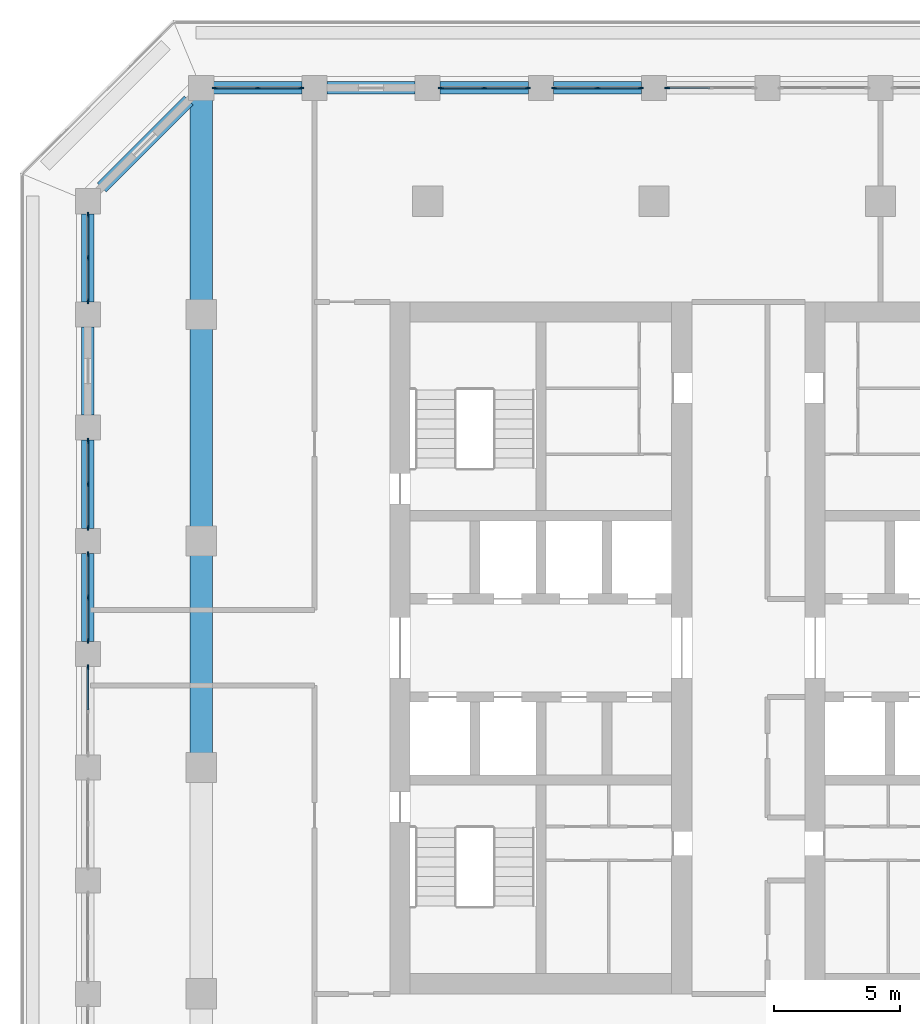
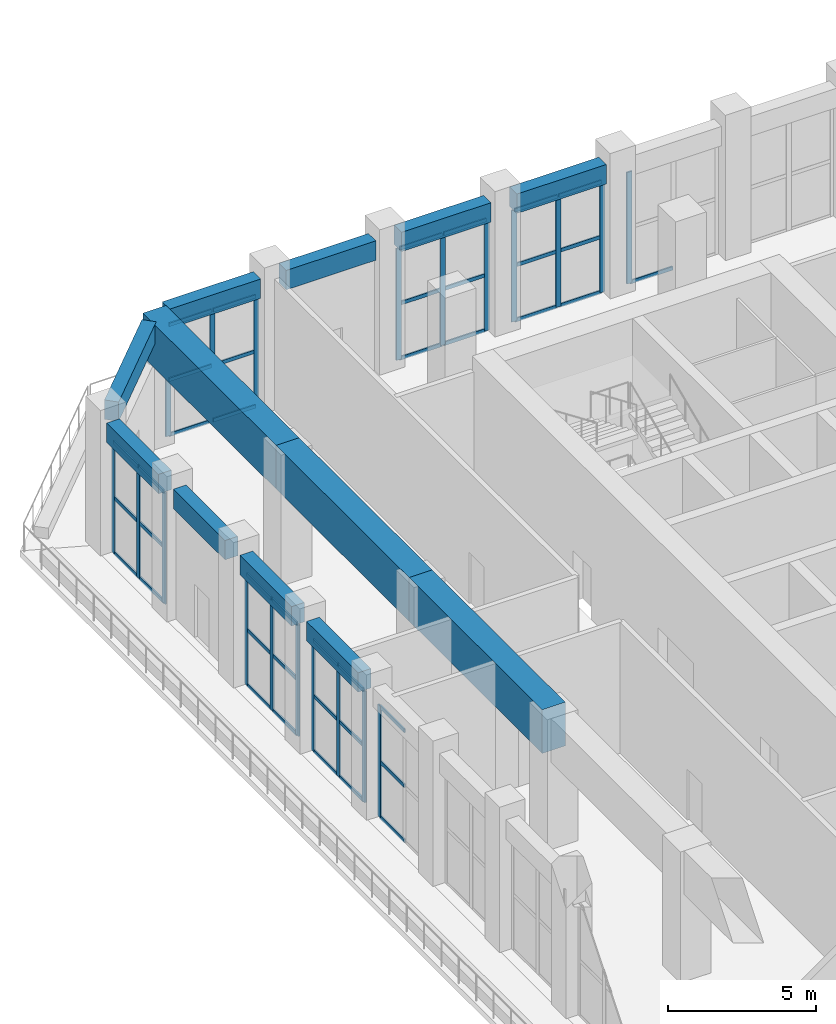
# One storey, part 6 of 25: 60 members, 12 beams, 8 elements without a shape of their own.
"""IFC4 building model written with IfcOpenShell, lengths in metres."""

from ifc_helpers import new_model, si_unit, direction, frame, origin, origin_2d, place, context, subcontext, project, spatial, rectangle, extrude, material, material_profile, profile_set, type_object, element, aggregate, save


model = new_model("IFC4")

# Units and contexts
model_context = context("Model", 3, precision=1e-05, world=origin(), true_north=direction((0.0, 1.0)))
body_context = subcontext(model_context, "Body", "Model", "MODEL_VIEW")
ifc_project = project(units=[si_unit("LENGTHUNIT", "METRE"), si_unit("AREAUNIT", "SQUARE_METRE"), si_unit("VOLUMEUNIT", "CUBIC_METRE"), si_unit("PLANEANGLEUNIT", "RADIAN"), si_unit("MASSUNIT", "GRAM", prefix="KILO")], contexts=[model_context])

# Site, building, storey
site_placement = place(None, origin())
site = spatial("IfcSite", under=ifc_project, at=site_placement, CompositionType="ELEMENT")
building_placement = place(site_placement, origin())
building = spatial("IfcBuilding", under=site, at=building_placement, Name="Corbel Stack Research Tower", CompositionType="ELEMENT")
storey_placement = place(building_placement, frame((0.0, 0.0, 220.199951171875)))
storey = spatial("IfcBuildingStorey", under=building, at=storey_placement, Name="L50", CompositionType="ELEMENT", Elevation=220.199951171875)

# Curtain wall, member
ifc_material_1 = material(Name="Aluminium frame, clear glass", Category="aluminium")
curtain_wall_type = type_object("IfcCurtainWallType", Name="Upper amenity floor curtain wall CW3", PredefinedType="NOTDEFINED", material=ifc_material_1)
curtain_wall_1_placement = place(storey_placement, origin())
curtain_wall_1 = element("IfcCurtainWall", 1, at=curtain_wall_1_placement, inside=storey, type_object=curtain_wall_type, Name="Curtain wall CW3 L50 N06", PredefinedType="NOTDEFINED")
ifc_material_2 = material(Name="Aluminium mullion", Category="aluminium")
ifc_material_profile_1 = material_profile(ifc_material_2, rectangle(XDim=0.06005859375, YDim=0.199951171875, at=origin_2d()), Name="Mullion 60 x 200")
ifc_profile_set_1 = profile_set([ifc_material_profile_1], Name="Aluminium mullion")
member_type_1 = type_object("IfcMemberType", Name="Curtain wall mullion 60 x 200", PredefinedType="MULLION", material=ifc_profile_set_1)
member_1_placement = place(storey_placement, frame((0.530029296875, 27.0, 0.0), z_axis=(0.0, 0.0, 1.0), x_axis=(0.0, -1.0, 0.0)))
member_1 = element("IfcMember", 2, at=member_1_placement, type_object=member_type_1, Name="CW3 mullion 3", PredefinedType="MULLION", context=body_context, shape_type="SweptSolid", body=[
    extrude(rectangle(XDim=0.06005859375, YDim=0.199951171875, at=origin_2d()), origin(), (0.0, 0.0, 1.0), 4.60009765625),
])

# Curtain wall, members
curtain_wall_2_placement = place(storey_placement, origin())
curtain_wall_2 = element("IfcCurtainWall", 3, at=curtain_wall_2_placement, inside=storey, type_object=curtain_wall_type, Name="Curtain wall CW3 L50 N07", PredefinedType="NOTDEFINED")
member_2_placement = place(storey_placement, frame((-0.530029296875, 27.0, 0.0), z_axis=(0.0, 0.0, 1.0), x_axis=(0.0, -1.0, 0.0)))
member_2 = element("IfcMember", 4, at=member_2_placement, type_object=member_type_1, Name="CW3 mullion 1", PredefinedType="MULLION", context=body_context, shape_type="SweptSolid", body=[
    extrude(rectangle(XDim=0.06005859375, YDim=0.199951171875, at=origin_2d()), origin(), (0.0, 0.0, 1.0), 4.60009765625),
])
member_3_placement = place(storey_placement, frame((-2.25, 27.0, 0.0), z_axis=(0.0, 0.0, 1.0), x_axis=(0.0, -1.0, 0.0)))
member_3 = element("IfcMember", 5, at=member_3_placement, type_object=member_type_1, Name="CW3 mullion 2", PredefinedType="MULLION", context=body_context, shape_type="SweptSolid", body=[
    extrude(rectangle(XDim=0.06005859375, YDim=0.199951171875, at=origin_2d()), origin(), (0.0, 0.0, 1.0), 4.60009765625),
])
member_4_placement = place(storey_placement, frame((-3.969970703125, 27.0, 0.0), z_axis=(0.0, 0.0, 1.0), x_axis=(0.0, -1.0, 0.0)))
member_4 = element("IfcMember", 6, at=member_4_placement, type_object=member_type_1, Name="CW3 mullion 3", PredefinedType="MULLION", context=body_context, shape_type="SweptSolid", body=[
    extrude(rectangle(XDim=0.06005859375, YDim=0.199951171875, at=origin_2d()), origin(), (0.0, 0.0, 1.0), 4.60009765625),
])

curtain_wall_3_placement = place(storey_placement, origin())
curtain_wall_3 = element("IfcCurtainWall", 7, at=curtain_wall_3_placement, inside=storey, type_object=curtain_wall_type, Name="Curtain wall CW3 L50 N08", PredefinedType="NOTDEFINED")
member_5_placement = place(storey_placement, frame((-5.030029296875, 27.0, 0.0), z_axis=(0.0, 0.0, 1.0), x_axis=(0.0, -1.0, 0.0)))
member_5 = element("IfcMember", 8, at=member_5_placement, type_object=member_type_1, Name="CW3 mullion 1", PredefinedType="MULLION", context=body_context, shape_type="SweptSolid", body=[
    extrude(rectangle(XDim=0.06005859375, YDim=0.199951171875, at=origin_2d()), origin(), (0.0, 0.0, 1.0), 4.60009765625),
])
member_6_placement = place(storey_placement, frame((-6.75, 27.0, 0.0), z_axis=(0.0, 0.0, 1.0), x_axis=(0.0, -1.0, 0.0)))
member_6 = element("IfcMember", 9, at=member_6_placement, type_object=member_type_1, Name="CW3 mullion 2", PredefinedType="MULLION", context=body_context, shape_type="SweptSolid", body=[
    extrude(rectangle(XDim=0.06005859375, YDim=0.199951171875, at=origin_2d()), origin(), (0.0, 0.0, 1.0), 4.60009765625),
])
member_7_placement = place(storey_placement, frame((-8.469970703125, 27.0, 0.0), z_axis=(0.0, 0.0, 1.0), x_axis=(0.0, -1.0, 0.0)))
member_7 = element("IfcMember", 10, at=member_7_placement, type_object=member_type_1, Name="CW3 mullion 3", PredefinedType="MULLION", context=body_context, shape_type="SweptSolid", body=[
    extrude(rectangle(XDim=0.06005859375, YDim=0.199951171875, at=origin_2d()), origin(), (0.0, 0.0, 1.0), 4.60009765625),
])

curtain_wall_4_placement = place(storey_placement, origin())
curtain_wall_4 = element("IfcCurtainWall", 11, at=curtain_wall_4_placement, inside=storey, type_object=curtain_wall_type, Name="Curtain wall CW3 L50 N10", PredefinedType="NOTDEFINED")
member_8_placement = place(storey_placement, frame((-14.030029296875, 27.0, 0.0), z_axis=(0.0, 0.0, 1.0), x_axis=(0.0, -1.0, 0.0)))
member_8 = element("IfcMember", 12, at=member_8_placement, type_object=member_type_1, Name="CW3 mullion 1", PredefinedType="MULLION", context=body_context, shape_type="SweptSolid", body=[
    extrude(rectangle(XDim=0.06005859375, YDim=0.199951171875, at=origin_2d()), origin(), (0.0, 0.0, 1.0), 4.60009765625),
])
member_9_placement = place(storey_placement, frame((-15.75, 27.0, 0.0), z_axis=(0.0, 0.0, 1.0), x_axis=(0.0, -1.0, 0.0)))
member_9 = element("IfcMember", 13, at=member_9_placement, type_object=member_type_1, Name="CW3 mullion 2", PredefinedType="MULLION", context=body_context, shape_type="SweptSolid", body=[
    extrude(rectangle(XDim=0.06005859375, YDim=0.199951171875, at=origin_2d()), origin(), (0.0, 0.0, 1.0), 4.60009765625),
])
member_10_placement = place(storey_placement, frame((-17.469970703125, 27.0, 0.0), z_axis=(0.0, 0.0, 1.0), x_axis=(0.0, -1.0, 0.0)))
member_10 = element("IfcMember", 14, at=member_10_placement, type_object=member_type_1, Name="CW3 mullion 3", PredefinedType="MULLION", context=body_context, shape_type="SweptSolid", body=[
    extrude(rectangle(XDim=0.06005859375, YDim=0.199951171875, at=origin_2d()), origin(), (0.0, 0.0, 1.0), 4.60009765625),
])

curtain_wall_5_placement = place(storey_placement, origin())
curtain_wall_5 = element("IfcCurtainWall", 15, at=curtain_wall_5_placement, inside=storey, type_object=curtain_wall_type, Name="Curtain wall CW3 L50 W01", PredefinedType="NOTDEFINED")
member_11_placement = place(storey_placement, frame((-22.5, 21.969970703125, 0.0), z_axis=(0.0, 0.0, 1.0), x_axis=(1.0, 0.0, 0.0)))
member_11 = element("IfcMember", 16, at=member_11_placement, type_object=member_type_1, Name="CW3 mullion 1", PredefinedType="MULLION", context=body_context, shape_type="SweptSolid", body=[
    extrude(rectangle(XDim=0.06005859375, YDim=0.199951171875, at=origin_2d()), origin(), (0.0, 0.0, 1.0), 4.60009765625),
])
member_12_placement = place(storey_placement, frame((-22.5, 20.25, 0.0), z_axis=(0.0, 0.0, 1.0), x_axis=(1.0, 0.0, 0.0)))
member_12 = element("IfcMember", 17, at=member_12_placement, type_object=member_type_1, Name="CW3 mullion 2", PredefinedType="MULLION", context=body_context, shape_type="SweptSolid", body=[
    extrude(rectangle(XDim=0.06005859375, YDim=0.199951171875, at=origin_2d()), origin(), (0.0, 0.0, 1.0), 4.60009765625),
])
member_13_placement = place(storey_placement, frame((-22.5, 18.530029296875, 0.0), z_axis=(0.0, 0.0, 1.0), x_axis=(1.0, 0.0, 0.0)))
member_13 = element("IfcMember", 18, at=member_13_placement, type_object=member_type_1, Name="CW3 mullion 3", PredefinedType="MULLION", context=body_context, shape_type="SweptSolid", body=[
    extrude(rectangle(XDim=0.06005859375, YDim=0.199951171875, at=origin_2d()), origin(), (0.0, 0.0, 1.0), 4.60009765625),
])

curtain_wall_6_placement = place(storey_placement, origin())
curtain_wall_6 = element("IfcCurtainWall", 19, at=curtain_wall_6_placement, inside=storey, type_object=curtain_wall_type, Name="Curtain wall CW3 L50 W03", PredefinedType="NOTDEFINED")
member_14_placement = place(storey_placement, frame((-22.5, 12.969970703125, 0.0), z_axis=(0.0, 0.0, 1.0), x_axis=(1.0, 0.0, 0.0)))
member_14 = element("IfcMember", 20, at=member_14_placement, type_object=member_type_1, Name="CW3 mullion 1", PredefinedType="MULLION", context=body_context, shape_type="SweptSolid", body=[
    extrude(rectangle(XDim=0.06005859375, YDim=0.199951171875, at=origin_2d()), origin(), (0.0, 0.0, 1.0), 4.60009765625),
])
member_15_placement = place(storey_placement, frame((-22.5, 11.25, 0.0), z_axis=(0.0, 0.0, 1.0), x_axis=(1.0, 0.0, 0.0)))
member_15 = element("IfcMember", 21, at=member_15_placement, type_object=member_type_1, Name="CW3 mullion 2", PredefinedType="MULLION", context=body_context, shape_type="SweptSolid", body=[
    extrude(rectangle(XDim=0.06005859375, YDim=0.199951171875, at=origin_2d()), origin(), (0.0, 0.0, 1.0), 4.60009765625),
])
member_16_placement = place(storey_placement, frame((-22.5, 9.530029296875, 0.0), z_axis=(0.0, 0.0, 1.0), x_axis=(1.0, 0.0, 0.0)))
member_16 = element("IfcMember", 22, at=member_16_placement, type_object=member_type_1, Name="CW3 mullion 3", PredefinedType="MULLION", context=body_context, shape_type="SweptSolid", body=[
    extrude(rectangle(XDim=0.06005859375, YDim=0.199951171875, at=origin_2d()), origin(), (0.0, 0.0, 1.0), 4.60009765625),
])

curtain_wall_7_placement = place(storey_placement, origin())
curtain_wall_7 = element("IfcCurtainWall", 23, at=curtain_wall_7_placement, inside=storey, type_object=curtain_wall_type, Name="Curtain wall CW3 L50 W04", PredefinedType="NOTDEFINED")
member_17_placement = place(storey_placement, frame((-22.5, 8.469970703125, 0.0), z_axis=(0.0, 0.0, 1.0), x_axis=(1.0, 0.0, 0.0)))
member_17 = element("IfcMember", 24, at=member_17_placement, type_object=member_type_1, Name="CW3 mullion 1", PredefinedType="MULLION", context=body_context, shape_type="SweptSolid", body=[
    extrude(rectangle(XDim=0.06005859375, YDim=0.199951171875, at=origin_2d()), origin(), (0.0, 0.0, 1.0), 4.60009765625),
])
member_18_placement = place(storey_placement, frame((-22.5, 6.75, 0.0), z_axis=(0.0, 0.0, 1.0), x_axis=(1.0, 0.0, 0.0)))
member_18 = element("IfcMember", 25, at=member_18_placement, type_object=member_type_1, Name="CW3 mullion 2", PredefinedType="MULLION", context=body_context, shape_type="SweptSolid", body=[
    extrude(rectangle(XDim=0.06005859375, YDim=0.199951171875, at=origin_2d()), origin(), (0.0, 0.0, 1.0), 4.60009765625),
])
member_19_placement = place(storey_placement, frame((-22.5, 5.030029296875, 0.0), z_axis=(0.0, 0.0, 1.0), x_axis=(1.0, 0.0, 0.0)))
member_19 = element("IfcMember", 26, at=member_19_placement, type_object=member_type_1, Name="CW3 mullion 3", PredefinedType="MULLION", context=body_context, shape_type="SweptSolid", body=[
    extrude(rectangle(XDim=0.06005859375, YDim=0.199951171875, at=origin_2d()), origin(), (0.0, 0.0, 1.0), 4.60009765625),
])

# Curtain wall, member
curtain_wall_8_placement = place(storey_placement, origin())
curtain_wall_8 = element("IfcCurtainWall", 27, at=curtain_wall_8_placement, inside=storey, type_object=curtain_wall_type, Name="Curtain wall CW3 L50 W05", PredefinedType="NOTDEFINED")
member_20_placement = place(storey_placement, frame((-22.5, 3.969970703125, 0.0), z_axis=(0.0, 0.0, 1.0), x_axis=(1.0, 0.0, 0.0)))
member_20 = element("IfcMember", 28, at=member_20_placement, type_object=member_type_1, Name="CW3 mullion 1", PredefinedType="MULLION", context=body_context, shape_type="SweptSolid", body=[
    extrude(rectangle(XDim=0.06005859375, YDim=0.199951171875, at=origin_2d()), origin(), (0.0, 0.0, 1.0), 4.60009765625),
])

# Member
ifc_material_3 = material(Name="Aluminium transom", Category="aluminium")
ifc_material_profile_2 = material_profile(ifc_material_3, rectangle(XDim=0.06005859375, YDim=0.14990234375, at=origin_2d()), Name="Transom 60 x 150")
ifc_profile_set_2 = profile_set([ifc_material_profile_2], Name="Aluminium transom")
member_type_2 = type_object("IfcMemberType", Name="Curtain wall transom 60 x 150", PredefinedType="USERDEFINED", material=ifc_profile_set_2)
member_21_placement = place(storey_placement, frame((2.219970703125, 27.0, 0.030029296875), z_axis=(-1.0, 0.0, 0.0), x_axis=(0.0, -1.0, 0.0)))
member_21 = element("IfcMember", 29, at=member_21_placement, type_object=member_type_2, Name="CW3 transom 2.1", ObjectType="TRANSOM", PredefinedType="USERDEFINED", context=body_context, shape_type="SweptSolid", body=[
    extrude(rectangle(XDim=0.06005859375, YDim=0.14990234375, at=origin_2d()), origin(), (0.0, 0.0, 1.0), 1.659912109375),
])

aggregate(curtain_wall_1, [member_1, member_21])

member_22_placement = place(storey_placement, frame((-0.56005859375, 27.0, 0.030029296875), z_axis=(-1.0, 0.0, 0.0), x_axis=(0.0, -1.0, 0.0)))
member_22 = element("IfcMember", 30, at=member_22_placement, type_object=member_type_2, Name="CW3 transom 1.1", ObjectType="TRANSOM", PredefinedType="USERDEFINED", context=body_context, shape_type="SweptSolid", body=[
    extrude(rectangle(XDim=0.06005859375, YDim=0.14990234375, at=origin_2d()), origin(), (0.0, 0.0, 1.0), 1.659912109375),
])

member_23_placement = place(storey_placement, frame((-0.56005859375, 27.0, 2.300048828125), z_axis=(-1.0, 0.0, 0.0), x_axis=(0.0, -1.0, 0.0)))
member_23 = element("IfcMember", 31, at=member_23_placement, type_object=member_type_2, Name="CW3 transom 1.2", ObjectType="TRANSOM", PredefinedType="USERDEFINED", context=body_context, shape_type="SweptSolid", body=[
    extrude(rectangle(XDim=0.06005859375, YDim=0.14990234375, at=origin_2d()), origin(), (0.0, 0.0, 1.0), 1.659912109375),
])

member_24_placement = place(storey_placement, frame((-0.56005859375, 27.0, 4.570068359375), z_axis=(-1.0, 0.0, 0.0), x_axis=(0.0, -1.0, 0.0)))
member_24 = element("IfcMember", 32, at=member_24_placement, type_object=member_type_2, Name="CW3 transom 1.3", ObjectType="TRANSOM", PredefinedType="USERDEFINED", context=body_context, shape_type="SweptSolid", body=[
    extrude(rectangle(XDim=0.06005859375, YDim=0.14990234375, at=origin_2d()), origin(), (0.0, 0.0, 1.0), 1.659912109375),
])

member_25_placement = place(storey_placement, frame((-2.280029296875, 27.0, 0.030029296875), z_axis=(-1.0, 0.0, 0.0), x_axis=(0.0, -1.0, 0.0)))
member_25 = element("IfcMember", 33, at=member_25_placement, type_object=member_type_2, Name="CW3 transom 2.1", ObjectType="TRANSOM", PredefinedType="USERDEFINED", context=body_context, shape_type="SweptSolid", body=[
    extrude(rectangle(XDim=0.06005859375, YDim=0.14990234375, at=origin_2d()), origin(), (0.0, 0.0, 1.0), 1.659912109375),
])

member_26_placement = place(storey_placement, frame((-2.280029296875, 27.0, 2.300048828125), z_axis=(-1.0, 0.0, 0.0), x_axis=(0.0, -1.0, 0.0)))
member_26 = element("IfcMember", 34, at=member_26_placement, type_object=member_type_2, Name="CW3 transom 2.2", ObjectType="TRANSOM", PredefinedType="USERDEFINED", context=body_context, shape_type="SweptSolid", body=[
    extrude(rectangle(XDim=0.06005859375, YDim=0.14990234375, at=origin_2d()), origin(), (0.0, 0.0, 1.0), 1.659912109375),
])

member_27_placement = place(storey_placement, frame((-2.280029296875, 27.0, 4.570068359375), z_axis=(-1.0, 0.0, 0.0), x_axis=(0.0, -1.0, 0.0)))
member_27 = element("IfcMember", 35, at=member_27_placement, type_object=member_type_2, Name="CW3 transom 2.3", ObjectType="TRANSOM", PredefinedType="USERDEFINED", context=body_context, shape_type="SweptSolid", body=[
    extrude(rectangle(XDim=0.06005859375, YDim=0.14990234375, at=origin_2d()), origin(), (0.0, 0.0, 1.0), 1.659912109375),
])

aggregate(curtain_wall_2, [member_2, member_3, member_4, member_22, member_23, member_24, member_25, member_26, member_27])

member_28_placement = place(storey_placement, frame((-5.06005859375, 27.0, 0.030029296875), z_axis=(-1.0, 0.0, 0.0), x_axis=(0.0, -1.0, 0.0)))
member_28 = element("IfcMember", 36, at=member_28_placement, type_object=member_type_2, Name="CW3 transom 1.1", ObjectType="TRANSOM", PredefinedType="USERDEFINED", context=body_context, shape_type="SweptSolid", body=[
    extrude(rectangle(XDim=0.06005859375, YDim=0.14990234375, at=origin_2d()), origin(), (0.0, 0.0, 1.0), 1.659912109375),
])

member_29_placement = place(storey_placement, frame((-5.06005859375, 27.0, 2.300048828125), z_axis=(-1.0, 0.0, 0.0), x_axis=(0.0, -1.0, 0.0)))
member_29 = element("IfcMember", 37, at=member_29_placement, type_object=member_type_2, Name="CW3 transom 1.2", ObjectType="TRANSOM", PredefinedType="USERDEFINED", context=body_context, shape_type="SweptSolid", body=[
    extrude(rectangle(XDim=0.06005859375, YDim=0.14990234375, at=origin_2d()), origin(), (0.0, 0.0, 1.0), 1.659912109375),
])

member_30_placement = place(storey_placement, frame((-5.06005859375, 27.0, 4.570068359375), z_axis=(-1.0, 0.0, 0.0), x_axis=(0.0, -1.0, 0.0)))
member_30 = element("IfcMember", 38, at=member_30_placement, type_object=member_type_2, Name="CW3 transom 1.3", ObjectType="TRANSOM", PredefinedType="USERDEFINED", context=body_context, shape_type="SweptSolid", body=[
    extrude(rectangle(XDim=0.06005859375, YDim=0.14990234375, at=origin_2d()), origin(), (0.0, 0.0, 1.0), 1.659912109375),
])

member_31_placement = place(storey_placement, frame((-6.780029296875, 27.0, 0.030029296875), z_axis=(-1.0, 0.0, 0.0), x_axis=(0.0, -1.0, 0.0)))
member_31 = element("IfcMember", 39, at=member_31_placement, type_object=member_type_2, Name="CW3 transom 2.1", ObjectType="TRANSOM", PredefinedType="USERDEFINED", context=body_context, shape_type="SweptSolid", body=[
    extrude(rectangle(XDim=0.06005859375, YDim=0.14990234375, at=origin_2d()), origin(), (0.0, 0.0, 1.0), 1.659912109375),
])

member_32_placement = place(storey_placement, frame((-6.780029296875, 27.0, 2.300048828125), z_axis=(-1.0, 0.0, 0.0), x_axis=(0.0, -1.0, 0.0)))
member_32 = element("IfcMember", 40, at=member_32_placement, type_object=member_type_2, Name="CW3 transom 2.2", ObjectType="TRANSOM", PredefinedType="USERDEFINED", context=body_context, shape_type="SweptSolid", body=[
    extrude(rectangle(XDim=0.06005859375, YDim=0.14990234375, at=origin_2d()), origin(), (0.0, 0.0, 1.0), 1.659912109375),
])

member_33_placement = place(storey_placement, frame((-6.780029296875, 27.0, 4.570068359375), z_axis=(-1.0, 0.0, 0.0), x_axis=(0.0, -1.0, 0.0)))
member_33 = element("IfcMember", 41, at=member_33_placement, type_object=member_type_2, Name="CW3 transom 2.3", ObjectType="TRANSOM", PredefinedType="USERDEFINED", context=body_context, shape_type="SweptSolid", body=[
    extrude(rectangle(XDim=0.06005859375, YDim=0.14990234375, at=origin_2d()), origin(), (0.0, 0.0, 1.0), 1.659912109375),
])

aggregate(curtain_wall_3, [member_5, member_6, member_7, member_28, member_29, member_30, member_31, member_32, member_33])

member_34_placement = place(storey_placement, frame((-14.06005859375, 27.0, 0.030029296875), z_axis=(-1.0, 0.0, 0.0), x_axis=(0.0, -1.0, 0.0)))
member_34 = element("IfcMember", 42, at=member_34_placement, type_object=member_type_2, Name="CW3 transom 1.1", ObjectType="TRANSOM", PredefinedType="USERDEFINED", context=body_context, shape_type="SweptSolid", body=[
    extrude(rectangle(XDim=0.06005859375, YDim=0.14990234375, at=origin_2d()), origin(), (0.0, 0.0, 1.0), 1.659912109375),
])

member_35_placement = place(storey_placement, frame((-14.06005859375, 27.0, 2.300048828125), z_axis=(-1.0, 0.0, 0.0), x_axis=(0.0, -1.0, 0.0)))
member_35 = element("IfcMember", 43, at=member_35_placement, type_object=member_type_2, Name="CW3 transom 1.2", ObjectType="TRANSOM", PredefinedType="USERDEFINED", context=body_context, shape_type="SweptSolid", body=[
    extrude(rectangle(XDim=0.06005859375, YDim=0.14990234375, at=origin_2d()), origin(), (0.0, 0.0, 1.0), 1.659912109375),
])

member_36_placement = place(storey_placement, frame((-14.06005859375, 27.0, 4.570068359375), z_axis=(-1.0, 0.0, 0.0), x_axis=(0.0, -1.0, 0.0)))
member_36 = element("IfcMember", 44, at=member_36_placement, type_object=member_type_2, Name="CW3 transom 1.3", ObjectType="TRANSOM", PredefinedType="USERDEFINED", context=body_context, shape_type="SweptSolid", body=[
    extrude(rectangle(XDim=0.06005859375, YDim=0.14990234375, at=origin_2d()), origin(), (0.0, 0.0, 1.0), 1.659912109375),
])

member_37_placement = place(storey_placement, frame((-15.780029296875, 27.0, 0.030029296875), z_axis=(-1.0, 0.0, 0.0), x_axis=(0.0, -1.0, 0.0)))
member_37 = element("IfcMember", 45, at=member_37_placement, type_object=member_type_2, Name="CW3 transom 2.1", ObjectType="TRANSOM", PredefinedType="USERDEFINED", context=body_context, shape_type="SweptSolid", body=[
    extrude(rectangle(XDim=0.06005859375, YDim=0.14990234375, at=origin_2d()), origin(), (0.0, 0.0, 1.0), 1.659912109375),
])

member_38_placement = place(storey_placement, frame((-15.780029296875, 27.0, 2.300048828125), z_axis=(-1.0, 0.0, 0.0), x_axis=(0.0, -1.0, 0.0)))
member_38 = element("IfcMember", 46, at=member_38_placement, type_object=member_type_2, Name="CW3 transom 2.2", ObjectType="TRANSOM", PredefinedType="USERDEFINED", context=body_context, shape_type="SweptSolid", body=[
    extrude(rectangle(XDim=0.06005859375, YDim=0.14990234375, at=origin_2d()), origin(), (0.0, 0.0, 1.0), 1.659912109375),
])

member_39_placement = place(storey_placement, frame((-15.780029296875, 27.0, 4.570068359375), z_axis=(-1.0, 0.0, 0.0), x_axis=(0.0, -1.0, 0.0)))
member_39 = element("IfcMember", 47, at=member_39_placement, type_object=member_type_2, Name="CW3 transom 2.3", ObjectType="TRANSOM", PredefinedType="USERDEFINED", context=body_context, shape_type="SweptSolid", body=[
    extrude(rectangle(XDim=0.06005859375, YDim=0.14990234375, at=origin_2d()), origin(), (0.0, 0.0, 1.0), 1.659912109375),
])

aggregate(curtain_wall_4, [member_8, member_9, member_10, member_34, member_35, member_36, member_37, member_38, member_39])

member_40_placement = place(storey_placement, frame((-22.5, 21.93994140625, 0.030029296875), z_axis=(0.0, -1.0, 0.0), x_axis=(1.0, 0.0, 0.0)))
member_40 = element("IfcMember", 48, at=member_40_placement, type_object=member_type_2, Name="CW3 transom 1.1", ObjectType="TRANSOM", PredefinedType="USERDEFINED", context=body_context, shape_type="SweptSolid", body=[
    extrude(rectangle(XDim=0.06005859375, YDim=0.14990234375, at=origin_2d()), origin(), (0.0, 0.0, 1.0), 1.659912109375),
])

member_41_placement = place(storey_placement, frame((-22.5, 21.93994140625, 2.300048828125), z_axis=(0.0, -1.0, 0.0), x_axis=(1.0, 0.0, 0.0)))
member_41 = element("IfcMember", 49, at=member_41_placement, type_object=member_type_2, Name="CW3 transom 1.2", ObjectType="TRANSOM", PredefinedType="USERDEFINED", context=body_context, shape_type="SweptSolid", body=[
    extrude(rectangle(XDim=0.06005859375, YDim=0.14990234375, at=origin_2d()), origin(), (0.0, 0.0, 1.0), 1.659912109375),
])

member_42_placement = place(storey_placement, frame((-22.5, 21.93994140625, 4.570068359375), z_axis=(0.0, -1.0, 0.0), x_axis=(1.0, 0.0, 0.0)))
member_42 = element("IfcMember", 50, at=member_42_placement, type_object=member_type_2, Name="CW3 transom 1.3", ObjectType="TRANSOM", PredefinedType="USERDEFINED", context=body_context, shape_type="SweptSolid", body=[
    extrude(rectangle(XDim=0.06005859375, YDim=0.14990234375, at=origin_2d()), origin(), (0.0, 0.0, 1.0), 1.659912109375),
])

member_43_placement = place(storey_placement, frame((-22.5, 20.219970703125, 0.030029296875), z_axis=(0.0, -1.0, 0.0), x_axis=(1.0, 0.0, 0.0)))
member_43 = element("IfcMember", 51, at=member_43_placement, type_object=member_type_2, Name="CW3 transom 2.1", ObjectType="TRANSOM", PredefinedType="USERDEFINED", context=body_context, shape_type="SweptSolid", body=[
    extrude(rectangle(XDim=0.06005859375, YDim=0.14990234375, at=origin_2d()), origin(), (0.0, 0.0, 1.0), 1.659912109375),
])

member_44_placement = place(storey_placement, frame((-22.5, 20.219970703125, 2.300048828125), z_axis=(0.0, -1.0, 0.0), x_axis=(1.0, 0.0, 0.0)))
member_44 = element("IfcMember", 52, at=member_44_placement, type_object=member_type_2, Name="CW3 transom 2.2", ObjectType="TRANSOM", PredefinedType="USERDEFINED", context=body_context, shape_type="SweptSolid", body=[
    extrude(rectangle(XDim=0.06005859375, YDim=0.14990234375, at=origin_2d()), origin(), (0.0, 0.0, 1.0), 1.659912109375),
])

member_45_placement = place(storey_placement, frame((-22.5, 20.219970703125, 4.570068359375), z_axis=(0.0, -1.0, 0.0), x_axis=(1.0, 0.0, 0.0)))
member_45 = element("IfcMember", 53, at=member_45_placement, type_object=member_type_2, Name="CW3 transom 2.3", ObjectType="TRANSOM", PredefinedType="USERDEFINED", context=body_context, shape_type="SweptSolid", body=[
    extrude(rectangle(XDim=0.06005859375, YDim=0.14990234375, at=origin_2d()), origin(), (0.0, 0.0, 1.0), 1.659912109375),
])

aggregate(curtain_wall_5, [member_11, member_12, member_13, member_40, member_41, member_42, member_43, member_44, member_45])

member_46_placement = place(storey_placement, frame((-22.5, 12.93994140625, 0.030029296875), z_axis=(0.0, -1.0, 0.0), x_axis=(1.0, 0.0, 0.0)))
member_46 = element("IfcMember", 54, at=member_46_placement, type_object=member_type_2, Name="CW3 transom 1.1", ObjectType="TRANSOM", PredefinedType="USERDEFINED", context=body_context, shape_type="SweptSolid", body=[
    extrude(rectangle(XDim=0.06005859375, YDim=0.14990234375, at=origin_2d()), origin(), (0.0, 0.0, 1.0), 1.659912109375),
])

member_47_placement = place(storey_placement, frame((-22.5, 12.93994140625, 2.300048828125), z_axis=(0.0, -1.0, 0.0), x_axis=(1.0, 0.0, 0.0)))
member_47 = element("IfcMember", 55, at=member_47_placement, type_object=member_type_2, Name="CW3 transom 1.2", ObjectType="TRANSOM", PredefinedType="USERDEFINED", context=body_context, shape_type="SweptSolid", body=[
    extrude(rectangle(XDim=0.06005859375, YDim=0.14990234375, at=origin_2d()), origin(), (0.0, 0.0, 1.0), 1.659912109375),
])

member_48_placement = place(storey_placement, frame((-22.5, 12.93994140625, 4.570068359375), z_axis=(0.0, -1.0, 0.0), x_axis=(1.0, 0.0, 0.0)))
member_48 = element("IfcMember", 56, at=member_48_placement, type_object=member_type_2, Name="CW3 transom 1.3", ObjectType="TRANSOM", PredefinedType="USERDEFINED", context=body_context, shape_type="SweptSolid", body=[
    extrude(rectangle(XDim=0.06005859375, YDim=0.14990234375, at=origin_2d()), origin(), (0.0, 0.0, 1.0), 1.659912109375),
])

member_49_placement = place(storey_placement, frame((-22.5, 11.219970703125, 0.030029296875), z_axis=(0.0, -1.0, 0.0), x_axis=(1.0, 0.0, 0.0)))
member_49 = element("IfcMember", 57, at=member_49_placement, type_object=member_type_2, Name="CW3 transom 2.1", ObjectType="TRANSOM", PredefinedType="USERDEFINED", context=body_context, shape_type="SweptSolid", body=[
    extrude(rectangle(XDim=0.06005859375, YDim=0.14990234375, at=origin_2d()), origin(), (0.0, 0.0, 1.0), 1.659912109375),
])

member_50_placement = place(storey_placement, frame((-22.5, 11.219970703125, 2.300048828125), z_axis=(0.0, -1.0, 0.0), x_axis=(1.0, 0.0, 0.0)))
member_50 = element("IfcMember", 58, at=member_50_placement, type_object=member_type_2, Name="CW3 transom 2.2", ObjectType="TRANSOM", PredefinedType="USERDEFINED", context=body_context, shape_type="SweptSolid", body=[
    extrude(rectangle(XDim=0.06005859375, YDim=0.14990234375, at=origin_2d()), origin(), (0.0, 0.0, 1.0), 1.659912109375),
])

member_51_placement = place(storey_placement, frame((-22.5, 11.219970703125, 4.570068359375), z_axis=(0.0, -1.0, 0.0), x_axis=(1.0, 0.0, 0.0)))
member_51 = element("IfcMember", 59, at=member_51_placement, type_object=member_type_2, Name="CW3 transom 2.3", ObjectType="TRANSOM", PredefinedType="USERDEFINED", context=body_context, shape_type="SweptSolid", body=[
    extrude(rectangle(XDim=0.06005859375, YDim=0.14990234375, at=origin_2d()), origin(), (0.0, 0.0, 1.0), 1.659912109375),
])

aggregate(curtain_wall_6, [member_14, member_15, member_16, member_46, member_47, member_48, member_49, member_50, member_51])

member_52_placement = place(storey_placement, frame((-22.5, 8.43994140625, 0.030029296875), z_axis=(0.0, -1.0, 0.0), x_axis=(1.0, 0.0, 0.0)))
member_52 = element("IfcMember", 60, at=member_52_placement, type_object=member_type_2, Name="CW3 transom 1.1", ObjectType="TRANSOM", PredefinedType="USERDEFINED", context=body_context, shape_type="SweptSolid", body=[
    extrude(rectangle(XDim=0.06005859375, YDim=0.14990234375, at=origin_2d()), origin(), (0.0, 0.0, 1.0), 1.659912109375),
])

member_53_placement = place(storey_placement, frame((-22.5, 8.43994140625, 2.300048828125), z_axis=(0.0, -1.0, 0.0), x_axis=(1.0, 0.0, 0.0)))
member_53 = element("IfcMember", 61, at=member_53_placement, type_object=member_type_2, Name="CW3 transom 1.2", ObjectType="TRANSOM", PredefinedType="USERDEFINED", context=body_context, shape_type="SweptSolid", body=[
    extrude(rectangle(XDim=0.06005859375, YDim=0.14990234375, at=origin_2d()), origin(), (0.0, 0.0, 1.0), 1.659912109375),
])

member_54_placement = place(storey_placement, frame((-22.5, 8.43994140625, 4.570068359375), z_axis=(0.0, -1.0, 0.0), x_axis=(1.0, 0.0, 0.0)))
member_54 = element("IfcMember", 62, at=member_54_placement, type_object=member_type_2, Name="CW3 transom 1.3", ObjectType="TRANSOM", PredefinedType="USERDEFINED", context=body_context, shape_type="SweptSolid", body=[
    extrude(rectangle(XDim=0.06005859375, YDim=0.14990234375, at=origin_2d()), origin(), (0.0, 0.0, 1.0), 1.659912109375),
])

member_55_placement = place(storey_placement, frame((-22.5, 6.719970703125, 0.030029296875), z_axis=(0.0, -1.0, 0.0), x_axis=(1.0, 0.0, 0.0)))
member_55 = element("IfcMember", 63, at=member_55_placement, type_object=member_type_2, Name="CW3 transom 2.1", ObjectType="TRANSOM", PredefinedType="USERDEFINED", context=body_context, shape_type="SweptSolid", body=[
    extrude(rectangle(XDim=0.06005859375, YDim=0.14990234375, at=origin_2d()), origin(), (0.0, 0.0, 1.0), 1.659912109375),
])

member_56_placement = place(storey_placement, frame((-22.5, 6.719970703125, 2.300048828125), z_axis=(0.0, -1.0, 0.0), x_axis=(1.0, 0.0, 0.0)))
member_56 = element("IfcMember", 64, at=member_56_placement, type_object=member_type_2, Name="CW3 transom 2.2", ObjectType="TRANSOM", PredefinedType="USERDEFINED", context=body_context, shape_type="SweptSolid", body=[
    extrude(rectangle(XDim=0.06005859375, YDim=0.14990234375, at=origin_2d()), origin(), (0.0, 0.0, 1.0), 1.659912109375),
])

member_57_placement = place(storey_placement, frame((-22.5, 6.719970703125, 4.570068359375), z_axis=(0.0, -1.0, 0.0), x_axis=(1.0, 0.0, 0.0)))
member_57 = element("IfcMember", 65, at=member_57_placement, type_object=member_type_2, Name="CW3 transom 2.3", ObjectType="TRANSOM", PredefinedType="USERDEFINED", context=body_context, shape_type="SweptSolid", body=[
    extrude(rectangle(XDim=0.06005859375, YDim=0.14990234375, at=origin_2d()), origin(), (0.0, 0.0, 1.0), 1.659912109375),
])

aggregate(curtain_wall_7, [member_17, member_18, member_19, member_52, member_53, member_54, member_55, member_56, member_57])

member_58_placement = place(storey_placement, frame((-22.5, 3.93994140625, 0.030029296875), z_axis=(0.0, -1.0, 0.0), x_axis=(1.0, 0.0, 0.0)))
member_58 = element("IfcMember", 66, at=member_58_placement, type_object=member_type_2, Name="CW3 transom 1.1", ObjectType="TRANSOM", PredefinedType="USERDEFINED", context=body_context, shape_type="SweptSolid", body=[
    extrude(rectangle(XDim=0.06005859375, YDim=0.14990234375, at=origin_2d()), origin(), (0.0, 0.0, 1.0), 1.659912109375),
])

member_59_placement = place(storey_placement, frame((-22.5, 3.93994140625, 2.300048828125), z_axis=(0.0, -1.0, 0.0), x_axis=(1.0, 0.0, 0.0)))
member_59 = element("IfcMember", 67, at=member_59_placement, type_object=member_type_2, Name="CW3 transom 1.2", ObjectType="TRANSOM", PredefinedType="USERDEFINED", context=body_context, shape_type="SweptSolid", body=[
    extrude(rectangle(XDim=0.06005859375, YDim=0.14990234375, at=origin_2d()), origin(), (0.0, 0.0, 1.0), 1.659912109375),
])

member_60_placement = place(storey_placement, frame((-22.5, 3.93994140625, 4.570068359375), z_axis=(0.0, -1.0, 0.0), x_axis=(1.0, 0.0, 0.0)))
member_60 = element("IfcMember", 68, at=member_60_placement, type_object=member_type_2, Name="CW3 transom 1.3", ObjectType="TRANSOM", PredefinedType="USERDEFINED", context=body_context, shape_type="SweptSolid", body=[
    extrude(rectangle(XDim=0.06005859375, YDim=0.14990234375, at=origin_2d()), origin(), (0.0, 0.0, 1.0), 1.659912109375),
])

aggregate(curtain_wall_8, [member_20, member_58, member_59, member_60])

# Beams
ifc_material_4 = material(Name="Concrete C60/75", Category="concrete")
ifc_material_profile_3 = material_profile(ifc_material_4, rectangle(XDim=0.5, YDim=0.800048828125, at=origin_2d()), Name="RC 500 x 800")
ifc_profile_set_3 = profile_set([ifc_material_profile_3], Name="Concrete C60/75")
beam_type_1 = type_object("IfcBeamType", Name="SB-500-800-600", PredefinedType="SPANDREL", material=ifc_profile_set_3)
for number, where, z_axis, x_axis, name in (
    (69, (-0.5, 27.0, 5.0), (-1.0, 0.0, 0.0), (0.0, -1.0, 0.0), "Spandrel beam L50-29"),
    (70, (-5.0, 27.0, 5.0), (-1.0, 0.0, 0.0), (0.0, -1.0, 0.0), "Spandrel beam L50-30"),
    (71, (-9.5, 27.0, 5.0), (-1.0, 0.0, 0.0), (0.0, -1.0, 0.0), "Spandrel beam L50-31"),
):
    element("IfcBeam", number, at=place(storey_placement, frame(where, z_axis=z_axis, x_axis=x_axis)), inside=storey, type_object=beam_type_1, Name=name, PredefinedType="SPANDREL", context=body_context, shape_type="SweptSolid", body=[
        extrude(rectangle(XDim=0.5, YDim=0.800048828125, at=origin_2d()), origin(), (0.0, 0.0, 1.0), 3.5),
    ])
beam_1_placement = place(storey_placement, frame((-14.0, 27.0, 5.0), z_axis=(-1.0, 0.0, 0.0), x_axis=(0.0, -1.0, 0.0)))
element("IfcBeam", 72, at=beam_1_placement, inside=storey, type_object=beam_type_1, Name="Spandrel beam L50-32", PredefinedType="SPANDREL", context=body_context, shape_type="SweptSolid", body=[
    extrude(rectangle(XDim=0.5, YDim=0.800048828125, at=origin_2d()), origin(), (0.0, 0.0, 1.0), 3.550048828125),
])
beam_2_placement = place(storey_placement, frame((-18.492431640625, 26.507568359375, 5.0), z_axis=(-0.707106781187, -0.707106781187, 0.0), x_axis=(0.707106781187, -0.707106781187, 0.0)))
element("IfcBeam", 73, at=beam_2_placement, inside=storey, type_object=beam_type_1, Name="Spandrel beam L50-33", PredefinedType="SPANDREL", context=body_context, shape_type="SweptSolid", body=[
    extrude(rectangle(XDim=0.5, YDim=0.800048828125, at=origin_2d()), origin(), (0.0, 0.0, 1.0), 4.900390625),
])
for number, where, z_axis, x_axis, name in (
    (74, (-22.5, 22.0, 5.0), (0.0, -1.0, 0.0), (1.0, 0.0, 0.0), "Spandrel beam L50-34"),
    (75, (-22.5, 17.5, 5.0), (0.0, -1.0, 0.0), (1.0, 0.0, 0.0), "Spandrel beam L50-35"),
    (76, (-22.5, 13.0, 5.0), (0.0, -1.0, 0.0), (1.0, 0.0, 0.0), "Spandrel beam L50-36"),
    (77, (-22.5, 8.5, 5.0), (0.0, -1.0, 0.0), (1.0, 0.0, 0.0), "Spandrel beam L50-37"),
):
    element("IfcBeam", number, at=place(storey_placement, frame(where, z_axis=z_axis, x_axis=x_axis)), inside=storey, type_object=beam_type_1, Name=name, PredefinedType="SPANDREL", context=body_context, shape_type="SweptSolid", body=[
        extrude(rectangle(XDim=0.5, YDim=0.800048828125, at=origin_2d()), origin(), (0.0, 0.0, 1.0), 3.5),
    ])
ifc_material_5 = material(Name="Concrete C60/75", Category="concrete")
ifc_material_profile_4 = material_profile(ifc_material_5, rectangle(XDim=0.89990234375, YDim=1.800048828125, at=origin_2d()), Name="RC 900 x 1800")
ifc_profile_set_4 = profile_set([ifc_material_profile_4], Name="Concrete C60/75")
beam_type_2 = type_object("IfcBeamType", Name="TG-900-1800", PredefinedType="BEAM", material=ifc_profile_set_4)
for number, where, z_axis, x_axis, name in (
    (78, (-18.0, 0.0, 4.5), (0.0, 1.0, 0.0), (-1.0, 0.0, 0.0), "Transfer girder along the step L50 Wl0"),
    (79, (-18.0, 9.0, 4.5), (0.0, 1.0, 0.0), (-1.0, 0.0, 0.0), "Transfer girder along the step L50 Wl9"),
    (80, (-18.0, 18.0, 4.5), (0.0, 1.0, 0.0), (-1.0, 0.0, 0.0), "Transfer girder along the step L50 Wl18"),
):
    element("IfcBeam", number, at=place(storey_placement, frame(where, z_axis=z_axis, x_axis=x_axis)), inside=storey, type_object=beam_type_2, Name=name, PredefinedType="BEAM", context=body_context, shape_type="SweptSolid", body=[
        extrude(rectangle(XDim=0.89990234375, YDim=1.800048828125, at=origin_2d()), origin(), (0.0, 0.0, 1.0), 9.0),
    ])

save(model, "model.ifc")
